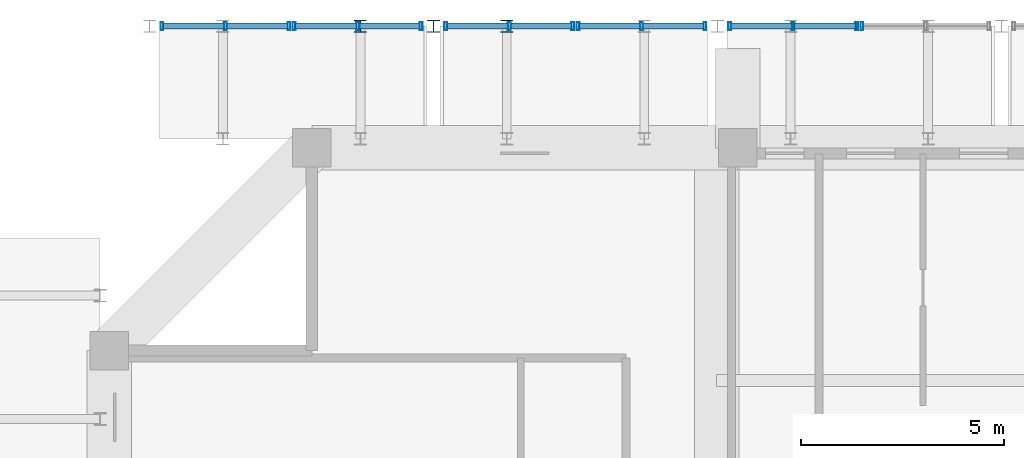
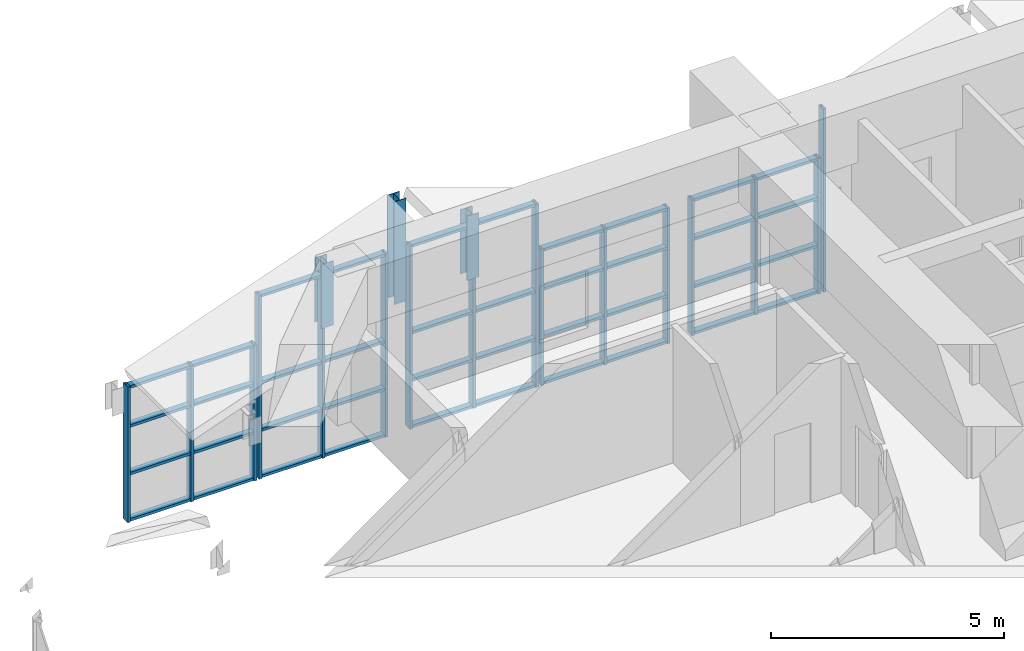
# One storey, part 23 of 45: 59 members, 6 elements without a shape of their own.
"""IFC4 building model written with IfcOpenShell, lengths in metres."""

import ifcopenshell
import ifcopenshell.guid

model = None  # the IFC model being written
_history = None  # IfcOwnerHistory: only IFC2X3 demands one
_inside = {}  # id of a spatial element -> (the spatial element, [elements in it])
_under = {}  # id of a project, library or spatial element -> (it, [spatial elements below it])
_declared = {}  # id of a project -> (the project, [libraries it declares])
_typed = {}  # id of a type object -> (the type object, [elements of that type])
_made_of = {}  # id of a material, layer set ... -> (it, [elements and type objects made of it])


def new_model(schema):
    """Start an empty IFC model of exactly this schema.

    Asked for "IFC4X3", IfcOpenShell would pick the latest addendum, in which some entities
    have other attributes; the version numbers below select the first issue.
    IFC2X3 requires an IfcOwnerHistory on every rooted entity: one is made here for all.
    """
    global model, _history
    if schema == "IFC4X3":
        model = ifcopenshell.file(schema_version=(4, 3, 0, 0))
    else:
        model = ifcopenshell.file(schema=schema)
    _inside.clear()
    _under.clear()
    _declared.clear()
    _typed.clear()
    _made_of.clear()
    _history = None
    if model.schema == "IFC2X3":
        org = make("IfcOrganization", Name="unknown")
        user = make(
            "IfcPersonAndOrganization",
            ThePerson=make("IfcPerson", FamilyName="unknown"),
            TheOrganization=org,
        )
        app = make(
            "IfcApplication",
            ApplicationDeveloper=org,
            Version="unknown",
            ApplicationFullName="unknown",
            ApplicationIdentifier="unknown",
        )
        _history = make(
            "IfcOwnerHistory",
            OwningUser=user,
            OwningApplication=app,
            ChangeAction="ADDED",
            CreationDate=0,
        )
    return model


def make(cls, **values):
    """One entity of the class cls with the attributes given. An attribute that is None is left unset."""
    return model.create_entity(
        cls, **{name: value for name, value in values.items() if value is not None}
    )


def rooted(cls, **values):
    """An entity with a GlobalId (a new one), such as an element, a storey or a relation."""
    return make(cls, GlobalId=ifcopenshell.guid.new(), OwnerHistory=_history, **values)


def si_unit(unit_type, name, prefix=None):
    """IfcSIUnit, for example si_unit("LENGTHUNIT", "METRE", prefix="MILLI")."""
    return make("IfcSIUnit", UnitType=unit_type, Prefix=prefix, Name=name)


def assignment(units):
    """IfcUnitAssignment: the units of a project."""
    return None if units is None else make("IfcUnitAssignment", Units=units)


def point(xyz):
    """IfcCartesianPoint."""
    return None if xyz is None else make("IfcCartesianPoint", Coordinates=xyz)


def direction(xyz):
    """IfcDirection."""
    return None if xyz is None else make("IfcDirection", DirectionRatios=xyz)


def frame(location, z_axis=None, x_axis=None):
    """IfcAxis2Placement3D, a coordinate frame: its origin and axes. An axis left out is left unset."""
    return make(
        "IfcAxis2Placement3D",
        Location=point(location),
        Axis=direction(z_axis),
        RefDirection=direction(x_axis),
    )


def frame_2d(location, x_axis=None):
    """IfcAxis2Placement2D, a coordinate frame in the plane: its origin and x axis."""
    return make(
        "IfcAxis2Placement2D", Location=point(location), RefDirection=direction(x_axis)
    )


def origin():
    """The frame at (0, 0, 0) with its axes left unset."""
    return frame((0.0, 0.0, 0.0))


def origin_2d():
    """The frame at (0, 0) in the plane with its x axis left unset."""
    return frame_2d((0.0, 0.0))


def place(relative_to, where):
    """IfcLocalPlacement: puts the frame where relative to a parent placement (None: the world)."""
    return make(
        "IfcLocalPlacement", PlacementRelTo=relative_to, RelativePlacement=where
    )


def context(
    kind, dimensions, precision=None, world=None, true_north=None, identifier=None
):
    """IfcGeometricRepresentationContext, for example the 3D "Model" context."""
    return make(
        "IfcGeometricRepresentationContext",
        ContextIdentifier=identifier,
        ContextType=kind,
        CoordinateSpaceDimension=dimensions,
        Precision=precision,
        WorldCoordinateSystem=world,
        TrueNorth=true_north,
    )


def subcontext(parent, identifier, kind, view, scale=None):
    """IfcGeometricRepresentationSubContext, for example "Body" below "Model"."""
    return make(
        "IfcGeometricRepresentationSubContext",
        ContextIdentifier=identifier,
        ContextType=kind,
        ParentContext=parent,
        TargetScale=scale,
        TargetView=view,
    )


def project(units=None, contexts=None):
    """IfcProject with its units and contexts."""
    return rooted(
        "IfcProject",
        Name="project",
        RepresentationContexts=contexts,
        UnitsInContext=assignment(units),
    )


def spatial(cls, under=None, at=None, **own):
    """A site, building, storey or space (cls), placed at a placement, below another one or the project."""
    s = rooted(cls, ObjectPlacement=at, **own)
    if under is not None:
        _under.setdefault(under.id(), (under, []))[1].append(s)
    return s


def profile(cls, at=None, kind="AREA", **sizes):
    """A parametric profile (cls). Its sizes go by their IFC names, for example OverallWidth=200.0."""
    return make(cls, ProfileType=kind, Position=at, **sizes)


def hollow_rectangle(**sizes):
    """IfcRectangleHollowProfileDef."""
    return profile("IfcRectangleHollowProfileDef", **sizes)


def i_section(**sizes):
    """IfcIShapeProfileDef."""
    return profile("IfcIShapeProfileDef", **sizes)


def extrude(swept, where, along, depth):
    """IfcExtrudedAreaSolid: the profile swept, set in the frame where, extruded along a direction by depth."""
    return make(
        "IfcExtrudedAreaSolid",
        SweptArea=swept,
        Position=where,
        ExtrudedDirection=direction(along),
        Depth=depth,
    )


def shape(context_of_items, identifier, shape_type, items):
    """IfcShapeRepresentation: the items that make up one representation, for example the "Body"."""
    return make(
        "IfcShapeRepresentation",
        ContextOfItems=context_of_items,
        RepresentationIdentifier=identifier,
        RepresentationType=shape_type,
        Items=items,
    )


def source(mapping_origin, context_of_items, identifier, shape_type, items):
    """IfcRepresentationMap: a shape defined once, which mapped items show again and again."""
    return make(
        "IfcRepresentationMap",
        MappingOrigin=mapping_origin,
        MappedRepresentation=shape(context_of_items, identifier, shape_type, items),
    )


def transform(
    local_origin,
    x_axis=None,
    y_axis=None,
    z_axis=None,
    scale=None,
    scale2=None,
    scale3=None,
    uniform=True,
):
    """IfcCartesianTransformationOperator3D, or its non-uniform kind. x_axis, y_axis, z_axis: its Axis1, 2, 3."""
    if uniform:
        return make(
            "IfcCartesianTransformationOperator3D",
            Axis1=direction(x_axis),
            Axis2=direction(y_axis),
            LocalOrigin=point(local_origin),
            Scale=scale,
            Axis3=direction(z_axis),
        )
    return make(
        "IfcCartesianTransformationOperator3DnonUniform",
        Axis1=direction(x_axis),
        Axis2=direction(y_axis),
        LocalOrigin=point(local_origin),
        Scale=scale,
        Axis3=direction(z_axis),
        Scale2=scale2,
        Scale3=scale3,
    )


def mapped(mapping_source, mapping_target):
    """IfcMappedItem: shows the shape of a source again, moved by a transform."""
    return make(
        "IfcMappedItem", MappingSource=mapping_source, MappingTarget=mapping_target
    )


def material(Name=None, Category=None):
    """IfcMaterial."""
    return make("IfcMaterial", Name=Name, Category=Category)


def layer(
    of_material, thickness, ventilated=None, Name=None, Category=None, Priority=None
):
    """IfcMaterialLayer: one layer of a wall or slab, of a material (None: an air gap)."""
    return make(
        "IfcMaterialLayer",
        Material=of_material,
        LayerThickness=thickness,
        IsVentilated=ventilated,
        Name=Name,
        Category=Category,
        Priority=Priority,
    )


def layer_set(layers, Name=None):
    """IfcMaterialLayerSet."""
    return make("IfcMaterialLayerSet", MaterialLayers=layers, LayerSetName=Name)


def material_profile(
    of_material, cross_section, Name=None, Category=None, Priority=None
):
    """IfcMaterialProfile: a cross section and its material."""
    return make(
        "IfcMaterialProfile",
        Name=Name,
        Material=of_material,
        Profile=cross_section,
        Priority=Priority,
        Category=Category,
    )


def profile_set(profiles, Name=None, composite=None):
    """IfcMaterialProfileSet."""
    return make(
        "IfcMaterialProfileSet",
        Name=Name,
        MaterialProfiles=profiles,
        CompositeProfile=composite,
    )


def made_of(thing, what):
    """Note that an element or type object is made of a material, layer set ...; save() writes the relation."""
    if what is not None:
        _made_of.setdefault(what.id(), (what, []))[1].append(thing)
    return thing


def type_object(cls, material=None, **own):
    """A type object (cls), such as IfcWallType, which elements share."""
    return made_of(rooted(cls, **own), material)


def element(
    cls,
    number,
    at=None,
    inside=None,
    cuts=None,
    type_object=None,
    material=None,
    context=None,
    identifier="Body",
    shape_type=None,
    held_by="IfcProductDefinitionShape",
    body=None,
    shapes=None,
    **own,
):
    """One element of the class cls, such as IfcWall. Its Tag is "e" and its number.

    at: its placement. inside: the storey or other place that contains it. cuts: it is an
    opening in that element (IfcRelVoidsElement). A single representation is given by context,
    identifier, shape_type and body (its items); several are given by shapes. held_by: the class
    of the entity that holds the representations. save() writes the other relations.
    """
    e = rooted(cls, Tag="e%d" % number, ObjectPlacement=at, **own)
    if body is not None:
        shapes = [shape(context, identifier, shape_type, body)]
    if shapes is not None:
        e.Representation = make(held_by, Representations=shapes)
    if inside is not None:
        _inside.setdefault(inside.id(), (inside, []))[1].append(e)
    if cuts is not None:
        rooted(
            "IfcRelVoidsElement", RelatingBuildingElement=cuts, RelatedOpeningElement=e
        )
    if type_object is not None:
        _typed.setdefault(type_object.id(), (type_object, []))[1].append(e)
    return made_of(e, material)


def aggregate(whole, parts):
    """IfcRelAggregates: a whole, such as a stair, and the parts it consists of."""
    return rooted("IfcRelAggregates", RelatingObject=whole, RelatedObjects=parts)


def save(model, path):
    """Write the relations noted so far, then the file.

    IfcRelAggregates (storeys below a building ...), IfcRelContainedInSpatialStructure (elements
    in a storey), IfcRelDefinesByType, IfcRelAssociatesMaterial and IfcRelDeclares: one each for
    every whole, place, type object, material and project.
    """
    for whole, parts in _under.values():
        aggregate(whole, parts)
    for where, things in _inside.values():
        rooted(
            "IfcRelContainedInSpatialStructure",
            RelatedElements=things,
            RelatingStructure=where,
        )
    for kind, things in _typed.values():
        rooted("IfcRelDefinesByType", RelatedObjects=things, RelatingType=kind)
    for what, things in _made_of.values():
        rooted("IfcRelAssociatesMaterial", RelatedObjects=things, RelatingMaterial=what)
    for by, libraries in _declared.values():
        rooted("IfcRelDeclares", RelatingContext=by, RelatedDefinitions=libraries)
    model.write(path)


model = new_model("IFC4")

# Units and contexts
model_context = context("Model", 3, precision=1e-05, world=origin(), true_north=direction((0.0, 1.0)))
body_context = subcontext(model_context, "Body", "Model", "MODEL_VIEW")
ifc_project = project(units=[si_unit("LENGTHUNIT", "METRE"), si_unit("AREAUNIT", "SQUARE_METRE"), si_unit("VOLUMEUNIT", "CUBIC_METRE"), si_unit("PLANEANGLEUNIT", "RADIAN"), si_unit("MASSUNIT", "GRAM", prefix="KILO")], contexts=[model_context])

# Site, building, storey
site_placement = place(None, origin())
site = spatial("IfcSite", under=ifc_project, at=site_placement, CompositionType="ELEMENT")
building_placement = place(site_placement, origin())
building = spatial("IfcBuilding", under=site, at=building_placement, Name="Saelheon Loggia Tower", CompositionType="ELEMENT")
storey_placement = place(building_placement, frame((0.0, 0.0, 152.199951171875)))
storey = spatial("IfcBuildingStorey", under=building, at=storey_placement, Name="L48", CompositionType="ELEMENT", Elevation=152.199951171875)

# Members
ifc_material_1 = material(Name="Steel SM355", Category="steel")
ifc_material_profile_1 = material_profile(ifc_material_1, i_section(OverallWidth=0.300048828125, OverallDepth=0.300048828125, WebThickness=0.010009765625, FlangeThickness=0.014892578125, at=origin_2d()), Name="H-300x300x10x15")
ifc_profile_set_1 = profile_set([ifc_material_profile_1], Name="Steel SM355")
member_type_1 = type_object("IfcMemberType", Name="WaveCrest_Post_H300", PredefinedType="POST", material=ifc_profile_set_1)
shared_shape_1 = source(origin(), body_context, "Body", "SweptSolid", [
    extrude(i_section(OverallWidth=0.300048828125, OverallDepth=0.300048828125, WebThickness=0.010009765625, FlangeThickness=0.014892578125, at=origin_2d()), origin(), (0.0, 0.0, 1.0), 2.699951171875),
])
member_1_placement = place(storey_placement, frame((24.0, 51.0, 0.0), z_axis=(0.0, 0.0, 1.0), x_axis=(1.0, 0.0, 0.0)))
element("IfcMember", 1, at=member_1_placement, inside=storey, type_object=member_type_1, Name="Tier 1 Wave Crest Upper Post N 01", PredefinedType="POST", context=body_context, shape_type="MappedRepresentation", body=[
    mapped(shared_shape_1, transform((0.0, 0.0, 0.0), scale=1.0)),
])
shared_shape_2 = source(origin(), body_context, "Body", "SweptSolid", [
    extrude(i_section(OverallWidth=0.300048828125, OverallDepth=0.300048828125, WebThickness=0.010009765625, FlangeThickness=0.014892578125, at=origin_2d()), origin(), (0.0, 0.0, 1.0), 1.68701171875),
])
for number, where, z_axis, x_axis, name in (
    (2, (22.1953125, 51.0, 0.0), (0.0, 0.0, 1.0), (1.0, 0.0, 0.0), "Tier 1 Rafter Outer Upper Post N 01"),
    (3, (25.8046875, 51.0, 0.0), (0.0, 0.0, 1.0), (1.0, 0.0, 0.0), "Tier 1 Rafter Outer Upper Post N 02"),
):
    element("IfcMember", number, at=place(storey_placement, frame(where, z_axis=z_axis, x_axis=x_axis)), inside=storey, type_object=member_type_1, Name=name, PredefinedType="POST", context=body_context, shape_type="MappedRepresentation", body=[
        mapped(shared_shape_2, transform((0.0, 0.0, 0.0), scale=1.0)),
    ])

# Curtain wall, members
ifc_material_2 = material(Name="Bronze-Anodised Aluminium and Fritted Ceramic Screen", Category="aluminium")
ifc_layer = layer(ifc_material_2, 0.219970703125)
ifc_layer_set = layer_set([ifc_layer], Name="Bronze-Anodised Aluminium and Fritted Ceramic Screen")
curtain_wall_type = type_object("IfcCurtainWallType", Name="CW_CrownScreen", PredefinedType="NOTDEFINED", material=ifc_layer_set)
curtain_wall_1_placement = place(storey_placement, origin())
curtain_wall_1 = element("IfcCurtainWall", 4, at=curtain_wall_1_placement, inside=storey, type_object=curtain_wall_type, Name="Tier 1 Wave Crest Glazing N 01-1", PredefinedType="NOTDEFINED")
ifc_material_3 = material(Name="Bronze-Anodised Aluminium 6063-T6", Category="aluminium")
ifc_material_profile_2 = material_profile(ifc_material_3, hollow_rectangle(XDim=0.070068359375, YDim=0.199951171875, WallThickness=0.0048828125, at=origin_2d()), Name="RHS-200x70x5")
ifc_profile_set_2 = profile_set([ifc_material_profile_2], Name="Bronze-Anodised Aluminium 6063-T6")
member_type_2 = type_object("IfcMemberType", Name="CW_CrownScreen_Mullion", PredefinedType="MULLION", material=ifc_profile_set_2)
shared_shape_3 = source(origin(), body_context, "Body", "SweptSolid", [
    extrude(hollow_rectangle(XDim=0.070068359375, YDim=0.199951171875, WallThickness=0.0048828125, at=origin_2d()), origin(), (0.0, 0.0, 1.0), 3.56005859375),
])
member_2_placement = place(storey_placement, frame((17.304931640625, 51.0, -3.449951171875), z_axis=(0.0, 0.0, 1.0), x_axis=(1.0, 0.0, 0.0)))
member_2 = element("IfcMember", 5, at=member_2_placement, type_object=member_type_2, Name="CW6 mullion 1", PredefinedType="MULLION", context=body_context, shape_type="MappedRepresentation", body=[
    mapped(shared_shape_3, transform((0.0, 0.0, 0.0), scale=1.0)),
])
member_3_placement = place(storey_placement, frame((18.8701171875, 51.0, -3.449951171875), z_axis=(0.0, 0.0, 1.0), x_axis=(1.0, 0.0, 0.0)))
member_3 = element("IfcMember", 6, at=member_3_placement, type_object=member_type_2, Name="CW6 mullion 2", PredefinedType="MULLION", context=body_context, shape_type="MappedRepresentation", body=[
    mapped(shared_shape_3, transform((0.0, 0.0, 0.0), scale=1.0)),
])
member_4_placement = place(storey_placement, frame((20.43505859375, 51.0, -3.449951171875), z_axis=(0.0, 0.0, 1.0), x_axis=(1.0, 0.0, 0.0)))
member_4 = element("IfcMember", 7, at=member_4_placement, type_object=member_type_2, Name="CW6 mullion 3", PredefinedType="MULLION", context=body_context, shape_type="MappedRepresentation", body=[
    mapped(shared_shape_3, transform((0.0, 0.0, 0.0), scale=1.0)),
])

curtain_wall_2_placement = place(storey_placement, origin())
curtain_wall_2 = element("IfcCurtainWall", 8, at=curtain_wall_2_placement, inside=storey, type_object=curtain_wall_type, Name="Tier 1 Wave Crest Glazing N 02-2", PredefinedType="NOTDEFINED")
member_5_placement = place(storey_placement, frame((27.56494140625, 51.0, -3.449951171875), z_axis=(0.0, 0.0, 1.0), x_axis=(1.0, 0.0, 0.0)))
member_5 = element("IfcMember", 9, at=member_5_placement, type_object=member_type_2, Name="CW6 mullion 1", PredefinedType="MULLION", context=body_context, shape_type="MappedRepresentation", body=[
    mapped(shared_shape_3, transform((0.0, 0.0, 0.0), scale=1.0)),
])
member_6_placement = place(storey_placement, frame((29.1298828125, 51.0, -3.449951171875), z_axis=(0.0, 0.0, 1.0), x_axis=(1.0, 0.0, 0.0)))
member_6 = element("IfcMember", 10, at=member_6_placement, type_object=member_type_2, Name="CW6 mullion 2", PredefinedType="MULLION", context=body_context, shape_type="MappedRepresentation", body=[
    mapped(shared_shape_3, transform((0.0, 0.0, 0.0), scale=1.0)),
])
member_7_placement = place(storey_placement, frame((30.695068359375, 51.0, -3.449951171875), z_axis=(0.0, 0.0, 1.0), x_axis=(1.0, 0.0, 0.0)))
member_7 = element("IfcMember", 11, at=member_7_placement, type_object=member_type_2, Name="CW6 mullion 3", PredefinedType="MULLION", context=body_context, shape_type="MappedRepresentation", body=[
    mapped(shared_shape_3, transform((0.0, 0.0, 0.0), scale=1.0)),
])

curtain_wall_3_placement = place(storey_placement, origin())
curtain_wall_3 = element("IfcCurtainWall", 12, at=curtain_wall_3_placement, inside=storey, type_object=curtain_wall_type, Name="Tier 1 Wave Crest Glazing N 03-1", PredefinedType="NOTDEFINED")
member_8_placement = place(storey_placement, frame((31.304931640625, 51.0, -3.449951171875), z_axis=(0.0, 0.0, 1.0), x_axis=(1.0, 0.0, 0.0)))
member_8 = element("IfcMember", 13, at=member_8_placement, type_object=member_type_2, Name="CW6 mullion 1", PredefinedType="MULLION", context=body_context, shape_type="MappedRepresentation", body=[
    mapped(shared_shape_3, transform((0.0, 0.0, 0.0), scale=1.0)),
])
member_9_placement = place(storey_placement, frame((32.8701171875, 51.0, -3.449951171875), z_axis=(0.0, 0.0, 1.0), x_axis=(1.0, 0.0, 0.0)))
member_9 = element("IfcMember", 14, at=member_9_placement, type_object=member_type_2, Name="CW6 mullion 2", PredefinedType="MULLION", context=body_context, shape_type="MappedRepresentation", body=[
    mapped(shared_shape_3, transform((0.0, 0.0, 0.0), scale=1.0)),
])
member_10_placement = place(storey_placement, frame((34.43505859375, 51.0, -3.449951171875), z_axis=(0.0, 0.0, 1.0), x_axis=(1.0, 0.0, 0.0)))
member_10 = element("IfcMember", 15, at=member_10_placement, type_object=member_type_2, Name="CW6 mullion 3", PredefinedType="MULLION", context=body_context, shape_type="MappedRepresentation", body=[
    mapped(shared_shape_3, transform((0.0, 0.0, 0.0), scale=1.0)),
])

curtain_wall_4_placement = place(storey_placement, origin())
curtain_wall_4 = element("IfcCurtainWall", 16, at=curtain_wall_4_placement, inside=storey, type_object=curtain_wall_type, Name="Tier 1 Wave Crest Glazing N 01-2", PredefinedType="NOTDEFINED")
shared_shape_4 = source(origin(), body_context, "Body", "SweptSolid", [
    extrude(hollow_rectangle(XDim=0.070068359375, YDim=0.199951171875, WallThickness=0.0048828125, at=origin_2d()), origin(), (0.0, 0.0, 1.0), 4.81005859375),
])
member_11_placement = place(storey_placement, frame((20.56494140625, 51.0, -3.449951171875), z_axis=(0.0, 0.0, 1.0), x_axis=(1.0, 0.0, 0.0)))
member_11 = element("IfcMember", 17, at=member_11_placement, type_object=member_type_2, Name="CW6 mullion 1", PredefinedType="MULLION", context=body_context, shape_type="MappedRepresentation", body=[
    mapped(shared_shape_4, transform((0.0, 0.0, 0.0), scale=1.0)),
])
member_12_placement = place(storey_placement, frame((22.1298828125, 51.0, -3.449951171875), z_axis=(0.0, 0.0, 1.0), x_axis=(1.0, 0.0, 0.0)))
member_12 = element("IfcMember", 18, at=member_12_placement, type_object=member_type_2, Name="CW6 mullion 2", PredefinedType="MULLION", context=body_context, shape_type="MappedRepresentation", body=[
    mapped(shared_shape_4, transform((0.0, 0.0, 0.0), scale=1.0)),
])
member_13_placement = place(storey_placement, frame((23.695068359375, 51.0, -3.449951171875), z_axis=(0.0, 0.0, 1.0), x_axis=(1.0, 0.0, 0.0)))
member_13 = element("IfcMember", 19, at=member_13_placement, type_object=member_type_2, Name="CW6 mullion 3", PredefinedType="MULLION", context=body_context, shape_type="MappedRepresentation", body=[
    mapped(shared_shape_4, transform((0.0, 0.0, 0.0), scale=1.0)),
])

curtain_wall_5_placement = place(storey_placement, origin())
curtain_wall_5 = element("IfcCurtainWall", 20, at=curtain_wall_5_placement, inside=storey, type_object=curtain_wall_type, Name="Tier 1 Wave Crest Glazing N 02-1", PredefinedType="NOTDEFINED")
member_14_placement = place(storey_placement, frame((24.304931640625, 51.0, -3.449951171875), z_axis=(0.0, 0.0, 1.0), x_axis=(1.0, 0.0, 0.0)))
member_14 = element("IfcMember", 21, at=member_14_placement, type_object=member_type_2, Name="CW6 mullion 1", PredefinedType="MULLION", context=body_context, shape_type="MappedRepresentation", body=[
    mapped(shared_shape_4, transform((0.0, 0.0, 0.0), scale=1.0)),
])
member_15_placement = place(storey_placement, frame((25.8701171875, 51.0, -3.449951171875), z_axis=(0.0, 0.0, 1.0), x_axis=(1.0, 0.0, 0.0)))
member_15 = element("IfcMember", 22, at=member_15_placement, type_object=member_type_2, Name="CW6 mullion 2", PredefinedType="MULLION", context=body_context, shape_type="MappedRepresentation", body=[
    mapped(shared_shape_4, transform((0.0, 0.0, 0.0), scale=1.0)),
])
member_16_placement = place(storey_placement, frame((27.43505859375, 51.0, -3.449951171875), z_axis=(0.0, 0.0, 1.0), x_axis=(1.0, 0.0, 0.0)))
member_16 = element("IfcMember", 23, at=member_16_placement, type_object=member_type_2, Name="CW6 mullion 3", PredefinedType="MULLION", context=body_context, shape_type="MappedRepresentation", body=[
    mapped(shared_shape_4, transform((0.0, 0.0, 0.0), scale=1.0)),
])

# Curtain wall, member
curtain_wall_6_placement = place(storey_placement, origin())
curtain_wall_6 = element("IfcCurtainWall", 24, at=curtain_wall_6_placement, inside=storey, type_object=curtain_wall_type, Name="Tier 1 Wave Crest Glazing N 03-2", PredefinedType="NOTDEFINED")
member_17_placement = place(storey_placement, frame((34.56494140625, 51.0, -3.449951171875), z_axis=(0.0, 0.0, 1.0), x_axis=(1.0, 0.0, 0.0)))
member_17 = element("IfcMember", 25, at=member_17_placement, type_object=member_type_2, Name="CW6 mullion 1", PredefinedType="MULLION", context=body_context, shape_type="MappedRepresentation", body=[
    mapped(shared_shape_4, transform((0.0, 0.0, 0.0), scale=1.0)),
])
aggregate(curtain_wall_6, [member_17])

# Member
ifc_material_profile_3 = material_profile(ifc_material_3, hollow_rectangle(XDim=0.070068359375, YDim=0.14990234375, WallThickness=0.0048828125, at=origin_2d()), Name="RHS-150x70x5")
ifc_profile_set_3 = profile_set([ifc_material_profile_3], Name="Bronze-Anodised Aluminium 6063-T6")
member_type_3 = type_object("IfcMemberType", Name="CW_CrownScreen_Transom", PredefinedType="USERDEFINED", material=ifc_profile_set_3)
shared_shape_5 = source(origin(), body_context, "Body", "SweptSolid", [
    extrude(hollow_rectangle(XDim=0.070068359375, YDim=0.14990234375, WallThickness=0.0048828125, at=origin_2d()), origin(), (0.0, 0.0, 1.0), 1.494873046875),
])
member_18_placement = place(storey_placement, frame((17.340087890625, 51.0, -3.4150390625), z_axis=(1.0, 0.0, 0.0), x_axis=(0.0, 0.0, 1.0)))
member_18 = element("IfcMember", 26, at=member_18_placement, type_object=member_type_3, Name="CW6 transom 1.1", ObjectType="TRANSOM", PredefinedType="USERDEFINED", context=body_context, shape_type="MappedRepresentation", body=[
    mapped(shared_shape_5, transform((0.0, 0.0, 0.0), scale=1.0)),
])

member_19_placement = place(storey_placement, frame((17.340087890625, 51.0, -2.199951171875), z_axis=(1.0, 0.0, 0.0), x_axis=(0.0, 0.0, 1.0)))
member_19 = element("IfcMember", 27, at=member_19_placement, type_object=member_type_3, Name="CW6 transom 1.2", ObjectType="TRANSOM", PredefinedType="USERDEFINED", context=body_context, shape_type="MappedRepresentation", body=[
    mapped(shared_shape_5, transform((0.0, 0.0, 0.0), scale=1.0)),
])

member_20_placement = place(storey_placement, frame((17.340087890625, 51.0, -0.949951171875), z_axis=(1.0, 0.0, 0.0), x_axis=(0.0, 0.0, 1.0)))
member_20 = element("IfcMember", 28, at=member_20_placement, type_object=member_type_3, Name="CW6 transom 1.3", ObjectType="TRANSOM", PredefinedType="USERDEFINED", context=body_context, shape_type="MappedRepresentation", body=[
    mapped(shared_shape_5, transform((0.0, 0.0, 0.0), scale=1.0)),
])

member_21_placement = place(storey_placement, frame((17.340087890625, 51.0, 0.074951171875), z_axis=(1.0, 0.0, 0.0), x_axis=(0.0, 0.0, 1.0)))
member_21 = element("IfcMember", 29, at=member_21_placement, type_object=member_type_3, Name="CW6 transom 1.4", ObjectType="TRANSOM", PredefinedType="USERDEFINED", context=body_context, shape_type="MappedRepresentation", body=[
    mapped(shared_shape_5, transform((0.0, 0.0, 0.0), scale=1.0)),
])

member_22_placement = place(storey_placement, frame((18.905029296875, 51.0, -3.4150390625), z_axis=(1.0, 0.0, 0.0), x_axis=(0.0, 0.0, 1.0)))
member_22 = element("IfcMember", 30, at=member_22_placement, type_object=member_type_3, Name="CW6 transom 2.1", ObjectType="TRANSOM", PredefinedType="USERDEFINED", context=body_context, shape_type="MappedRepresentation", body=[
    mapped(shared_shape_5, transform((0.0, 0.0, 0.0), scale=1.0)),
])

member_23_placement = place(storey_placement, frame((18.905029296875, 51.0, -2.199951171875), z_axis=(1.0, 0.0, 0.0), x_axis=(0.0, 0.0, 1.0)))
member_23 = element("IfcMember", 31, at=member_23_placement, type_object=member_type_3, Name="CW6 transom 2.2", ObjectType="TRANSOM", PredefinedType="USERDEFINED", context=body_context, shape_type="MappedRepresentation", body=[
    mapped(shared_shape_5, transform((0.0, 0.0, 0.0), scale=1.0)),
])

member_24_placement = place(storey_placement, frame((18.905029296875, 51.0, -0.949951171875), z_axis=(1.0, 0.0, 0.0), x_axis=(0.0, 0.0, 1.0)))
member_24 = element("IfcMember", 32, at=member_24_placement, type_object=member_type_3, Name="CW6 transom 2.3", ObjectType="TRANSOM", PredefinedType="USERDEFINED", context=body_context, shape_type="MappedRepresentation", body=[
    mapped(shared_shape_5, transform((0.0, 0.0, 0.0), scale=1.0)),
])

member_25_placement = place(storey_placement, frame((18.905029296875, 51.0, 0.074951171875), z_axis=(1.0, 0.0, 0.0), x_axis=(0.0, 0.0, 1.0)))
member_25 = element("IfcMember", 33, at=member_25_placement, type_object=member_type_3, Name="CW6 transom 2.4", ObjectType="TRANSOM", PredefinedType="USERDEFINED", context=body_context, shape_type="MappedRepresentation", body=[
    mapped(shared_shape_5, transform((0.0, 0.0, 0.0), scale=1.0)),
])

aggregate(curtain_wall_1, [member_2, member_3, member_4, member_18, member_19, member_20, member_21, member_22, member_23, member_24, member_25])

member_26_placement = place(storey_placement, frame((20.60009765625, 51.0, -3.4150390625), z_axis=(1.0, 0.0, 0.0), x_axis=(0.0, 0.0, 1.0)))
member_26 = element("IfcMember", 34, at=member_26_placement, type_object=member_type_3, Name="CW6 transom 1.1", ObjectType="TRANSOM", PredefinedType="USERDEFINED", context=body_context, shape_type="MappedRepresentation", body=[
    mapped(shared_shape_5, transform((0.0, 0.0, 0.0), scale=1.0)),
])

member_27_placement = place(storey_placement, frame((20.60009765625, 51.0, -2.199951171875), z_axis=(1.0, 0.0, 0.0), x_axis=(0.0, 0.0, 1.0)))
member_27 = element("IfcMember", 35, at=member_27_placement, type_object=member_type_3, Name="CW6 transom 1.2", ObjectType="TRANSOM", PredefinedType="USERDEFINED", context=body_context, shape_type="MappedRepresentation", body=[
    mapped(shared_shape_5, transform((0.0, 0.0, 0.0), scale=1.0)),
])

member_28_placement = place(storey_placement, frame((20.60009765625, 51.0, -0.949951171875), z_axis=(1.0, 0.0, 0.0), x_axis=(0.0, 0.0, 1.0)))
member_28 = element("IfcMember", 36, at=member_28_placement, type_object=member_type_3, Name="CW6 transom 1.3", ObjectType="TRANSOM", PredefinedType="USERDEFINED", context=body_context, shape_type="MappedRepresentation", body=[
    mapped(shared_shape_5, transform((0.0, 0.0, 0.0), scale=1.0)),
])

member_29_placement = place(storey_placement, frame((20.60009765625, 51.0, 1.324951171875), z_axis=(1.0, 0.0, 0.0), x_axis=(0.0, 0.0, 1.0)))
member_29 = element("IfcMember", 37, at=member_29_placement, type_object=member_type_3, Name="CW6 transom 1.4", ObjectType="TRANSOM", PredefinedType="USERDEFINED", context=body_context, shape_type="MappedRepresentation", body=[
    mapped(shared_shape_5, transform((0.0, 0.0, 0.0), scale=1.0)),
])

member_30_placement = place(storey_placement, frame((22.1650390625, 51.0, -3.4150390625), z_axis=(1.0, 0.0, 0.0), x_axis=(0.0, 0.0, 1.0)))
member_30 = element("IfcMember", 38, at=member_30_placement, type_object=member_type_3, Name="CW6 transom 2.1", ObjectType="TRANSOM", PredefinedType="USERDEFINED", context=body_context, shape_type="MappedRepresentation", body=[
    mapped(shared_shape_5, transform((0.0, 0.0, 0.0), scale=1.0)),
])

member_31_placement = place(storey_placement, frame((22.1650390625, 51.0, -2.199951171875), z_axis=(1.0, 0.0, 0.0), x_axis=(0.0, 0.0, 1.0)))
member_31 = element("IfcMember", 39, at=member_31_placement, type_object=member_type_3, Name="CW6 transom 2.2", ObjectType="TRANSOM", PredefinedType="USERDEFINED", context=body_context, shape_type="MappedRepresentation", body=[
    mapped(shared_shape_5, transform((0.0, 0.0, 0.0), scale=1.0)),
])

member_32_placement = place(storey_placement, frame((22.1650390625, 51.0, -0.949951171875), z_axis=(1.0, 0.0, 0.0), x_axis=(0.0, 0.0, 1.0)))
member_32 = element("IfcMember", 40, at=member_32_placement, type_object=member_type_3, Name="CW6 transom 2.3", ObjectType="TRANSOM", PredefinedType="USERDEFINED", context=body_context, shape_type="MappedRepresentation", body=[
    mapped(shared_shape_5, transform((0.0, 0.0, 0.0), scale=1.0)),
])

member_33_placement = place(storey_placement, frame((22.1650390625, 51.0, 1.324951171875), z_axis=(1.0, 0.0, 0.0), x_axis=(0.0, 0.0, 1.0)))
member_33 = element("IfcMember", 41, at=member_33_placement, type_object=member_type_3, Name="CW6 transom 2.4", ObjectType="TRANSOM", PredefinedType="USERDEFINED", context=body_context, shape_type="MappedRepresentation", body=[
    mapped(shared_shape_5, transform((0.0, 0.0, 0.0), scale=1.0)),
])

aggregate(curtain_wall_4, [member_11, member_12, member_13, member_26, member_27, member_28, member_29, member_30, member_31, member_32, member_33])

member_34_placement = place(storey_placement, frame((24.340087890625, 51.0, -3.4150390625), z_axis=(1.0, 0.0, 0.0), x_axis=(0.0, 0.0, 1.0)))
member_34 = element("IfcMember", 42, at=member_34_placement, type_object=member_type_3, Name="CW6 transom 1.1", ObjectType="TRANSOM", PredefinedType="USERDEFINED", context=body_context, shape_type="MappedRepresentation", body=[
    mapped(shared_shape_5, transform((0.0, 0.0, 0.0), scale=1.0)),
])

member_35_placement = place(storey_placement, frame((24.340087890625, 51.0, -2.199951171875), z_axis=(1.0, 0.0, 0.0), x_axis=(0.0, 0.0, 1.0)))
member_35 = element("IfcMember", 43, at=member_35_placement, type_object=member_type_3, Name="CW6 transom 1.2", ObjectType="TRANSOM", PredefinedType="USERDEFINED", context=body_context, shape_type="MappedRepresentation", body=[
    mapped(shared_shape_5, transform((0.0, 0.0, 0.0), scale=1.0)),
])

member_36_placement = place(storey_placement, frame((24.340087890625, 51.0, -0.949951171875), z_axis=(1.0, 0.0, 0.0), x_axis=(0.0, 0.0, 1.0)))
member_36 = element("IfcMember", 44, at=member_36_placement, type_object=member_type_3, Name="CW6 transom 1.3", ObjectType="TRANSOM", PredefinedType="USERDEFINED", context=body_context, shape_type="MappedRepresentation", body=[
    mapped(shared_shape_5, transform((0.0, 0.0, 0.0), scale=1.0)),
])

member_37_placement = place(storey_placement, frame((24.340087890625, 51.0, 1.324951171875), z_axis=(1.0, 0.0, 0.0), x_axis=(0.0, 0.0, 1.0)))
member_37 = element("IfcMember", 45, at=member_37_placement, type_object=member_type_3, Name="CW6 transom 1.4", ObjectType="TRANSOM", PredefinedType="USERDEFINED", context=body_context, shape_type="MappedRepresentation", body=[
    mapped(shared_shape_5, transform((0.0, 0.0, 0.0), scale=1.0)),
])

member_38_placement = place(storey_placement, frame((25.905029296875, 51.0, -3.4150390625), z_axis=(1.0, 0.0, 0.0), x_axis=(0.0, 0.0, 1.0)))
member_38 = element("IfcMember", 46, at=member_38_placement, type_object=member_type_3, Name="CW6 transom 2.1", ObjectType="TRANSOM", PredefinedType="USERDEFINED", context=body_context, shape_type="MappedRepresentation", body=[
    mapped(shared_shape_5, transform((0.0, 0.0, 0.0), scale=1.0)),
])

member_39_placement = place(storey_placement, frame((25.905029296875, 51.0, -2.199951171875), z_axis=(1.0, 0.0, 0.0), x_axis=(0.0, 0.0, 1.0)))
member_39 = element("IfcMember", 47, at=member_39_placement, type_object=member_type_3, Name="CW6 transom 2.2", ObjectType="TRANSOM", PredefinedType="USERDEFINED", context=body_context, shape_type="MappedRepresentation", body=[
    mapped(shared_shape_5, transform((0.0, 0.0, 0.0), scale=1.0)),
])

member_40_placement = place(storey_placement, frame((25.905029296875, 51.0, -0.949951171875), z_axis=(1.0, 0.0, 0.0), x_axis=(0.0, 0.0, 1.0)))
member_40 = element("IfcMember", 48, at=member_40_placement, type_object=member_type_3, Name="CW6 transom 2.3", ObjectType="TRANSOM", PredefinedType="USERDEFINED", context=body_context, shape_type="MappedRepresentation", body=[
    mapped(shared_shape_5, transform((0.0, 0.0, 0.0), scale=1.0)),
])

member_41_placement = place(storey_placement, frame((25.905029296875, 51.0, 1.324951171875), z_axis=(1.0, 0.0, 0.0), x_axis=(0.0, 0.0, 1.0)))
member_41 = element("IfcMember", 49, at=member_41_placement, type_object=member_type_3, Name="CW6 transom 2.4", ObjectType="TRANSOM", PredefinedType="USERDEFINED", context=body_context, shape_type="MappedRepresentation", body=[
    mapped(shared_shape_5, transform((0.0, 0.0, 0.0), scale=1.0)),
])

aggregate(curtain_wall_5, [member_14, member_15, member_16, member_34, member_35, member_36, member_37, member_38, member_39, member_40, member_41])

member_42_placement = place(storey_placement, frame((27.60009765625, 51.0, -3.4150390625), z_axis=(1.0, 0.0, 0.0), x_axis=(0.0, 0.0, 1.0)))
member_42 = element("IfcMember", 50, at=member_42_placement, type_object=member_type_3, Name="CW6 transom 1.1", ObjectType="TRANSOM", PredefinedType="USERDEFINED", context=body_context, shape_type="MappedRepresentation", body=[
    mapped(shared_shape_5, transform((0.0, 0.0, 0.0), scale=1.0)),
])

member_43_placement = place(storey_placement, frame((27.60009765625, 51.0, -2.199951171875), z_axis=(1.0, 0.0, 0.0), x_axis=(0.0, 0.0, 1.0)))
member_43 = element("IfcMember", 51, at=member_43_placement, type_object=member_type_3, Name="CW6 transom 1.2", ObjectType="TRANSOM", PredefinedType="USERDEFINED", context=body_context, shape_type="MappedRepresentation", body=[
    mapped(shared_shape_5, transform((0.0, 0.0, 0.0), scale=1.0)),
])

member_44_placement = place(storey_placement, frame((27.60009765625, 51.0, -0.949951171875), z_axis=(1.0, 0.0, 0.0), x_axis=(0.0, 0.0, 1.0)))
member_44 = element("IfcMember", 52, at=member_44_placement, type_object=member_type_3, Name="CW6 transom 1.3", ObjectType="TRANSOM", PredefinedType="USERDEFINED", context=body_context, shape_type="MappedRepresentation", body=[
    mapped(shared_shape_5, transform((0.0, 0.0, 0.0), scale=1.0)),
])

member_45_placement = place(storey_placement, frame((27.60009765625, 51.0, 0.074951171875), z_axis=(1.0, 0.0, 0.0), x_axis=(0.0, 0.0, 1.0)))
member_45 = element("IfcMember", 53, at=member_45_placement, type_object=member_type_3, Name="CW6 transom 1.4", ObjectType="TRANSOM", PredefinedType="USERDEFINED", context=body_context, shape_type="MappedRepresentation", body=[
    mapped(shared_shape_5, transform((0.0, 0.0, 0.0), scale=1.0)),
])

member_46_placement = place(storey_placement, frame((29.1650390625, 51.0, -3.4150390625), z_axis=(1.0, 0.0, 0.0), x_axis=(0.0, 0.0, 1.0)))
member_46 = element("IfcMember", 54, at=member_46_placement, type_object=member_type_3, Name="CW6 transom 2.1", ObjectType="TRANSOM", PredefinedType="USERDEFINED", context=body_context, shape_type="MappedRepresentation", body=[
    mapped(shared_shape_5, transform((0.0, 0.0, 0.0), scale=1.0)),
])

member_47_placement = place(storey_placement, frame((29.1650390625, 51.0, -2.199951171875), z_axis=(1.0, 0.0, 0.0), x_axis=(0.0, 0.0, 1.0)))
member_47 = element("IfcMember", 55, at=member_47_placement, type_object=member_type_3, Name="CW6 transom 2.2", ObjectType="TRANSOM", PredefinedType="USERDEFINED", context=body_context, shape_type="MappedRepresentation", body=[
    mapped(shared_shape_5, transform((0.0, 0.0, 0.0), scale=1.0)),
])

member_48_placement = place(storey_placement, frame((29.1650390625, 51.0, -0.949951171875), z_axis=(1.0, 0.0, 0.0), x_axis=(0.0, 0.0, 1.0)))
member_48 = element("IfcMember", 56, at=member_48_placement, type_object=member_type_3, Name="CW6 transom 2.3", ObjectType="TRANSOM", PredefinedType="USERDEFINED", context=body_context, shape_type="MappedRepresentation", body=[
    mapped(shared_shape_5, transform((0.0, 0.0, 0.0), scale=1.0)),
])

member_49_placement = place(storey_placement, frame((29.1650390625, 51.0, 0.074951171875), z_axis=(1.0, 0.0, 0.0), x_axis=(0.0, 0.0, 1.0)))
member_49 = element("IfcMember", 57, at=member_49_placement, type_object=member_type_3, Name="CW6 transom 2.4", ObjectType="TRANSOM", PredefinedType="USERDEFINED", context=body_context, shape_type="MappedRepresentation", body=[
    mapped(shared_shape_5, transform((0.0, 0.0, 0.0), scale=1.0)),
])

aggregate(curtain_wall_2, [member_5, member_6, member_7, member_42, member_43, member_44, member_45, member_46, member_47, member_48, member_49])

member_50_placement = place(storey_placement, frame((31.340087890625, 51.0, -3.4150390625), z_axis=(1.0, 0.0, 0.0), x_axis=(0.0, 0.0, 1.0)))
member_50 = element("IfcMember", 58, at=member_50_placement, type_object=member_type_3, Name="CW6 transom 1.1", ObjectType="TRANSOM", PredefinedType="USERDEFINED", context=body_context, shape_type="MappedRepresentation", body=[
    mapped(shared_shape_5, transform((0.0, 0.0, 0.0), scale=1.0)),
])

member_51_placement = place(storey_placement, frame((31.340087890625, 51.0, -2.199951171875), z_axis=(1.0, 0.0, 0.0), x_axis=(0.0, 0.0, 1.0)))
member_51 = element("IfcMember", 59, at=member_51_placement, type_object=member_type_3, Name="CW6 transom 1.2", ObjectType="TRANSOM", PredefinedType="USERDEFINED", context=body_context, shape_type="MappedRepresentation", body=[
    mapped(shared_shape_5, transform((0.0, 0.0, 0.0), scale=1.0)),
])

member_52_placement = place(storey_placement, frame((31.340087890625, 51.0, -0.949951171875), z_axis=(1.0, 0.0, 0.0), x_axis=(0.0, 0.0, 1.0)))
member_52 = element("IfcMember", 60, at=member_52_placement, type_object=member_type_3, Name="CW6 transom 1.3", ObjectType="TRANSOM", PredefinedType="USERDEFINED", context=body_context, shape_type="MappedRepresentation", body=[
    mapped(shared_shape_5, transform((0.0, 0.0, 0.0), scale=1.0)),
])

member_53_placement = place(storey_placement, frame((31.340087890625, 51.0, 0.074951171875), z_axis=(1.0, 0.0, 0.0), x_axis=(0.0, 0.0, 1.0)))
member_53 = element("IfcMember", 61, at=member_53_placement, type_object=member_type_3, Name="CW6 transom 1.4", ObjectType="TRANSOM", PredefinedType="USERDEFINED", context=body_context, shape_type="MappedRepresentation", body=[
    mapped(shared_shape_5, transform((0.0, 0.0, 0.0), scale=1.0)),
])

member_54_placement = place(storey_placement, frame((32.905029296875, 51.0, -3.4150390625), z_axis=(1.0, 0.0, 0.0), x_axis=(0.0, 0.0, 1.0)))
member_54 = element("IfcMember", 62, at=member_54_placement, type_object=member_type_3, Name="CW6 transom 2.1", ObjectType="TRANSOM", PredefinedType="USERDEFINED", context=body_context, shape_type="MappedRepresentation", body=[
    mapped(shared_shape_5, transform((0.0, 0.0, 0.0), scale=1.0)),
])

member_55_placement = place(storey_placement, frame((32.905029296875, 51.0, -2.199951171875), z_axis=(1.0, 0.0, 0.0), x_axis=(0.0, 0.0, 1.0)))
member_55 = element("IfcMember", 63, at=member_55_placement, type_object=member_type_3, Name="CW6 transom 2.2", ObjectType="TRANSOM", PredefinedType="USERDEFINED", context=body_context, shape_type="MappedRepresentation", body=[
    mapped(shared_shape_5, transform((0.0, 0.0, 0.0), scale=1.0)),
])

member_56_placement = place(storey_placement, frame((32.905029296875, 51.0, -0.949951171875), z_axis=(1.0, 0.0, 0.0), x_axis=(0.0, 0.0, 1.0)))
member_56 = element("IfcMember", 64, at=member_56_placement, type_object=member_type_3, Name="CW6 transom 2.3", ObjectType="TRANSOM", PredefinedType="USERDEFINED", context=body_context, shape_type="MappedRepresentation", body=[
    mapped(shared_shape_5, transform((0.0, 0.0, 0.0), scale=1.0)),
])

member_57_placement = place(storey_placement, frame((32.905029296875, 51.0, 0.074951171875), z_axis=(1.0, 0.0, 0.0), x_axis=(0.0, 0.0, 1.0)))
member_57 = element("IfcMember", 65, at=member_57_placement, type_object=member_type_3, Name="CW6 transom 2.4", ObjectType="TRANSOM", PredefinedType="USERDEFINED", context=body_context, shape_type="MappedRepresentation", body=[
    mapped(shared_shape_5, transform((0.0, 0.0, 0.0), scale=1.0)),
])

aggregate(curtain_wall_3, [member_8, member_9, member_10, member_50, member_51, member_52, member_53, member_54, member_55, member_56, member_57])

save(model, "model.ifc")
